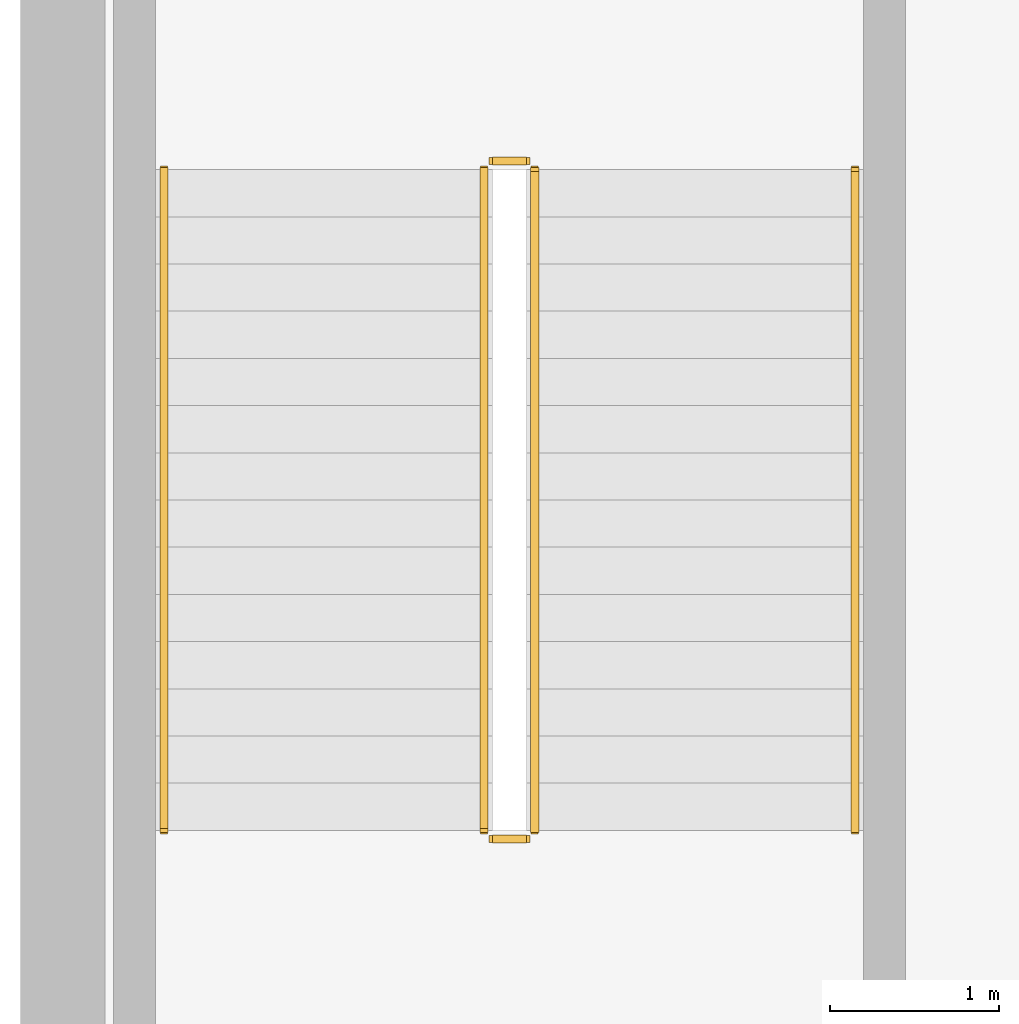
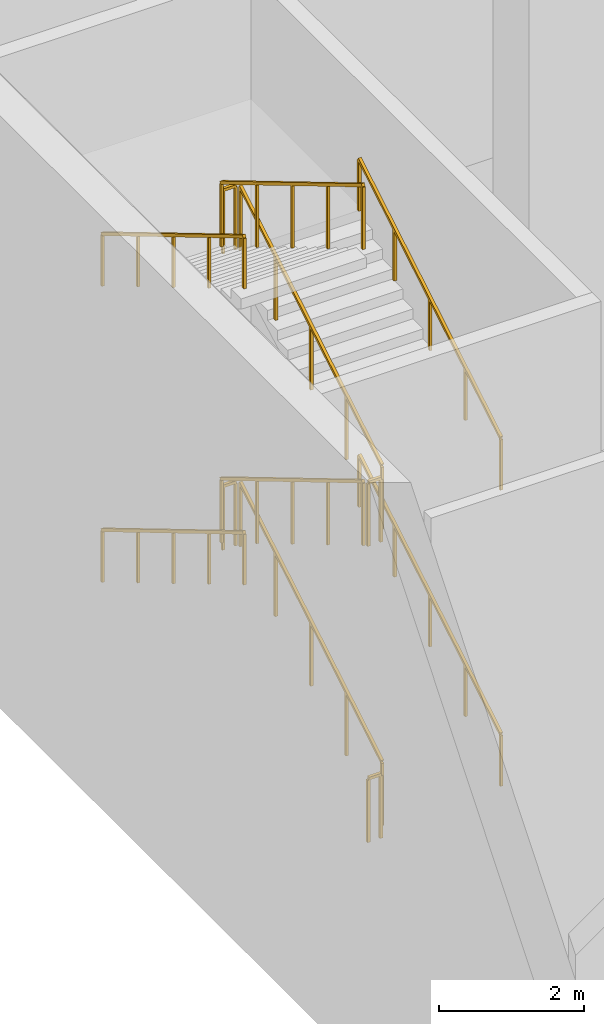
# One storey, part 15 of 17: 12 railings.
"""IFC4 building model written with IfcOpenShell, lengths in metres."""

from ifc_helpers import new_model, si_unit, direction, frame, origin, origin_2d, place, context, subcontext, project, spatial, rectangle, extrude, material, type_object, element, save


model = new_model("IFC4")

# Units and contexts
model_context = context("Model", 3, precision=1e-05, world=origin(), true_north=direction((0.0, 1.0)))
body_context = subcontext(model_context, "Body", "Model", "MODEL_VIEW")
ifc_project = project(units=[si_unit("LENGTHUNIT", "METRE"), si_unit("AREAUNIT", "SQUARE_METRE"), si_unit("VOLUMEUNIT", "CUBIC_METRE"), si_unit("PLANEANGLEUNIT", "RADIAN"), si_unit("MASSUNIT", "GRAM", prefix="KILO")], contexts=[model_context])

# Site, building, storey
site_placement = place(None, origin())
site = spatial("IfcSite", under=ifc_project, at=site_placement, CompositionType="ELEMENT")
building_placement = place(site_placement, origin())
building = spatial("IfcBuilding", under=site, at=building_placement, Name="Cypress Arch Tower", CompositionType="ELEMENT")
storey_placement = place(building_placement, frame((0.0, 0.0, 19.0)))
storey = spatial("IfcBuildingStorey", under=building, at=storey_placement, Name="L02", CompositionType="ELEMENT", Elevation=19.0)

# Railings
ifc_material_1 = material(Name="Black powder-coated steel square bar 48 mm", Category="steel")
railing_type_1 = type_object("IfcRailingType", Name="Stair handrail HR1", PredefinedType="HANDRAIL", material=ifc_material_1)
railing_1_placement = place(storey_placement, frame((18.949951171875, -2.5, 0.166748046875)))
element("IfcRailing", 1, at=railing_1_placement, inside=storey, type_object=railing_type_1, Name="L02 C stair handrail 1", PredefinedType="HANDRAIL", context=body_context, shape_type="SweptSolid", body=[
    extrude(rectangle(XDim=0.048095703125, YDim=0.048095703125, at=origin_2d()), frame((0.0, 0.0, 0.8759765625), z_axis=(0.0, 0.859296244711, 0.511478214419), x_axis=(-1.0, 0.0, 0.0)), (0.0, 0.0, 1.0), 4.561767578125),
    extrude(rectangle(XDim=0.0419921875, YDim=0.0419921875, at=origin_2d()), origin(), (0.0, 0.0, 1.0), 0.851806640625),
    extrude(rectangle(XDim=0.0419921875, YDim=0.0419921875, at=origin_2d()), frame((0.0, 0.97998046875, 0.583251953125)), (0.0, 0.0, 1.0), 0.851806640625),
    extrude(rectangle(XDim=0.0419921875, YDim=0.0419921875, at=origin_2d()), frame((0.0, 1.9599609375, 1.16650390625)), (0.0, 0.0, 1.0), 0.851806640625),
    extrude(rectangle(XDim=0.0419921875, YDim=0.0419921875, at=origin_2d()), frame((0.0, 2.93994140625, 1.75)), (0.0, 0.0, 1.0), 0.851806640625),
    extrude(rectangle(XDim=0.0419921875, YDim=0.0419921875, at=origin_2d()), frame((0.0, 3.919921875, 2.333251953125)), (0.0, 0.0, 1.0), 0.851806640625),
])
railing_2_placement = place(storey_placement, frame((14.85009765625, 1.419921875, 2.666748046875)))
element("IfcRailing", 2, at=railing_2_placement, inside=storey, type_object=railing_type_1, Name="L02 C stair handrail 2", PredefinedType="HANDRAIL", context=body_context, shape_type="SweptSolid", body=[
    extrude(rectangle(XDim=0.048095703125, YDim=0.048095703125, at=origin_2d()), frame((0.0, 0.0, 0.8759765625), z_axis=(0.0, -0.859296244711, 0.511478214419), x_axis=(1.0, 0.0, 0.0)), (0.0, 0.0, 1.0), 4.561767578125),
    extrude(rectangle(XDim=0.0419921875, YDim=0.0419921875, at=origin_2d()), origin(), (0.0, 0.0, 1.0), 0.851806640625),
    extrude(rectangle(XDim=0.0419921875, YDim=0.0419921875, at=origin_2d()), frame((0.0, -0.97998046875, 0.583251953125)), (0.0, 0.0, 1.0), 0.851806640625),
    extrude(rectangle(XDim=0.0419921875, YDim=0.0419921875, at=origin_2d()), frame((0.0, -1.9599609375, 1.16650390625)), (0.0, 0.0, 1.0), 0.851806640625),
    extrude(rectangle(XDim=0.0419921875, YDim=0.0419921875, at=origin_2d()), frame((0.0, -2.93994140625, 1.75)), (0.0, 0.0, 1.0), 0.851806640625),
    extrude(rectangle(XDim=0.0419921875, YDim=0.0419921875, at=origin_2d()), frame((0.0, -3.919921875, 2.333251953125)), (0.0, 0.0, 1.0), 0.851806640625),
])
railing_3_placement = place(storey_placement, frame((18.949951171875, -2.5, 5.166748046875)))
element("IfcRailing", 3, at=railing_3_placement, inside=storey, type_object=railing_type_1, Name="L02 C stair handrail 3", PredefinedType="HANDRAIL", context=body_context, shape_type="SweptSolid", body=[
    extrude(rectangle(XDim=0.048095703125, YDim=0.048095703125, at=origin_2d()), frame((0.0, 0.0, 0.8759765625), z_axis=(0.0, 0.859296244711, 0.511478214419), x_axis=(-1.0, 0.0, 0.0)), (0.0, 0.0, 1.0), 4.561767578125),
    extrude(rectangle(XDim=0.0419921875, YDim=0.0419921875, at=origin_2d()), origin(), (0.0, 0.0, 1.0), 0.851806640625),
    extrude(rectangle(XDim=0.0419921875, YDim=0.0419921875, at=origin_2d()), frame((0.0, 0.97998046875, 0.583251953125)), (0.0, 0.0, 1.0), 0.851806640625),
    extrude(rectangle(XDim=0.0419921875, YDim=0.0419921875, at=origin_2d()), frame((0.0, 1.9599609375, 1.16650390625)), (0.0, 0.0, 1.0), 0.851806640625),
    extrude(rectangle(XDim=0.0419921875, YDim=0.0419921875, at=origin_2d()), frame((0.0, 2.93994140625, 1.75)), (0.0, 0.0, 1.0), 0.851806640625),
    extrude(rectangle(XDim=0.0419921875, YDim=0.0419921875, at=origin_2d()), frame((0.0, 3.919921875, 2.333251953125)), (0.0, 0.0, 1.0), 0.851806640625),
])
railing_4_placement = place(storey_placement, frame((14.85009765625, 1.419921875, 7.666748046875)))
element("IfcRailing", 4, at=railing_4_placement, inside=storey, type_object=railing_type_1, Name="L02 C stair handrail 4", PredefinedType="HANDRAIL", context=body_context, shape_type="SweptSolid", body=[
    extrude(rectangle(XDim=0.048095703125, YDim=0.048095703125, at=origin_2d()), frame((0.0, 0.0, 0.8759765625), z_axis=(0.0, -0.859296244711, 0.511478214419), x_axis=(1.0, 0.0, 0.0)), (0.0, 0.0, 1.0), 4.561767578125),
    extrude(rectangle(XDim=0.0419921875, YDim=0.0419921875, at=origin_2d()), origin(), (0.0, 0.0, 1.0), 0.851806640625),
    extrude(rectangle(XDim=0.0419921875, YDim=0.0419921875, at=origin_2d()), frame((0.0, -0.97998046875, 0.583251953125)), (0.0, 0.0, 1.0), 0.851806640625),
    extrude(rectangle(XDim=0.0419921875, YDim=0.0419921875, at=origin_2d()), frame((0.0, -1.9599609375, 1.16650390625)), (0.0, 0.0, 1.0), 0.851806640625),
    extrude(rectangle(XDim=0.0419921875, YDim=0.0419921875, at=origin_2d()), frame((0.0, -2.93994140625, 1.75)), (0.0, 0.0, 1.0), 0.851806640625),
    extrude(rectangle(XDim=0.0419921875, YDim=0.0419921875, at=origin_2d()), frame((0.0, -3.919921875, 2.333251953125)), (0.0, 0.0, 1.0), 0.851806640625),
])
ifc_material_2 = material(Name="Black powder-coated steel balusters", Category="steel")
railing_type_2 = type_object("IfcRailingType", Name="Stair well guard G1", PredefinedType="GUARDRAIL", material=ifc_material_2)
railing_5_placement = place(storey_placement, frame((17.050048828125, -2.5, 0.166748046875)))
element("IfcRailing", 5, at=railing_5_placement, inside=storey, type_object=railing_type_2, Name="L02 C stair guard 1", PredefinedType="GUARDRAIL", context=body_context, shape_type="SweptSolid", body=[
    extrude(rectangle(XDim=0.048095703125, YDim=0.048095703125, at=origin_2d()), frame((0.0, 0.0, 1.076171875), z_axis=(0.0, 0.859296244711, 0.511478214419), x_axis=(-1.0, 0.0, 0.0)), (0.0, 0.0, 1.0), 4.561767578125),
    extrude(rectangle(XDim=0.0419921875, YDim=0.0419921875, at=origin_2d()), origin(), (0.0, 0.0, 1.0), 1.052001953125),
    extrude(rectangle(XDim=0.0419921875, YDim=0.0419921875, at=origin_2d()), frame((0.0, 0.97998046875, 0.583251953125)), (0.0, 0.0, 1.0), 1.052001953125),
    extrude(rectangle(XDim=0.0419921875, YDim=0.0419921875, at=origin_2d()), frame((0.0, 1.9599609375, 1.16650390625)), (0.0, 0.0, 1.0), 1.052001953125),
    extrude(rectangle(XDim=0.0419921875, YDim=0.0419921875, at=origin_2d()), frame((0.0, 2.93994140625, 1.75)), (0.0, 0.0, 1.0), 1.052001953125),
    extrude(rectangle(XDim=0.0419921875, YDim=0.0419921875, at=origin_2d()), frame((0.0, 3.919921875, 2.333251953125)), (0.0, 0.0, 1.0), 1.052001953125),
])
railing_6_placement = place(storey_placement, frame((17.0, 1.469970703125, 2.5)))
element("IfcRailing", 6, at=railing_6_placement, inside=storey, type_object=railing_type_2, Name="L02 C stair guard 2", PredefinedType="GUARDRAIL", context=body_context, shape_type="SweptSolid", body=[
    extrude(rectangle(XDim=0.048095703125, YDim=0.048095703125, at=origin_2d()), frame((0.0, 0.0, 1.076171875), z_axis=(-1.0, 0.0, 0.0), x_axis=(0.0, -1.0, 0.0)), (0.0, 0.0, 1.0), 0.199951171875),
    extrude(rectangle(XDim=0.0419921875, YDim=0.0419921875, at=origin_2d()), origin(), (0.0, 0.0, 1.0), 1.052001953125),
    extrude(rectangle(XDim=0.0419921875, YDim=0.0419921875, at=origin_2d()), frame((-0.199951171875, 0.0, 0.0)), (0.0, 0.0, 1.0), 1.052001953125),
])
railing_7_placement = place(storey_placement, frame((16.75, 1.419921875, 2.666748046875)))
element("IfcRailing", 7, at=railing_7_placement, inside=storey, type_object=railing_type_2, Name="L02 C stair guard 3", PredefinedType="GUARDRAIL", context=body_context, shape_type="SweptSolid", body=[
    extrude(rectangle(XDim=0.048095703125, YDim=0.048095703125, at=origin_2d()), frame((0.0, 0.0, 1.076171875), z_axis=(0.0, -0.859296244711, 0.511478214419), x_axis=(1.0, 0.0, 0.0)), (0.0, 0.0, 1.0), 4.561767578125),
    extrude(rectangle(XDim=0.0419921875, YDim=0.0419921875, at=origin_2d()), origin(), (0.0, 0.0, 1.0), 1.052001953125),
    extrude(rectangle(XDim=0.0419921875, YDim=0.0419921875, at=origin_2d()), frame((0.0, -0.97998046875, 0.583251953125)), (0.0, 0.0, 1.0), 1.052001953125),
    extrude(rectangle(XDim=0.0419921875, YDim=0.0419921875, at=origin_2d()), frame((0.0, -1.9599609375, 1.16650390625)), (0.0, 0.0, 1.0), 1.052001953125),
    extrude(rectangle(XDim=0.0419921875, YDim=0.0419921875, at=origin_2d()), frame((0.0, -2.93994140625, 1.75)), (0.0, 0.0, 1.0), 1.052001953125),
    extrude(rectangle(XDim=0.0419921875, YDim=0.0419921875, at=origin_2d()), frame((0.0, -3.919921875, 2.333251953125)), (0.0, 0.0, 1.0), 1.052001953125),
])
railing_8_placement = place(storey_placement, frame((17.0, -2.550048828125, 5.0)))
element("IfcRailing", 8, at=railing_8_placement, inside=storey, type_object=railing_type_2, Name="L02 C stair guard 4", PredefinedType="GUARDRAIL", context=body_context, shape_type="SweptSolid", body=[
    extrude(rectangle(XDim=0.048095703125, YDim=0.048095703125, at=origin_2d()), frame((0.0, 0.0, 1.076171875), z_axis=(-1.0, 0.0, 0.0), x_axis=(0.0, -1.0, 0.0)), (0.0, 0.0, 1.0), 0.199951171875),
    extrude(rectangle(XDim=0.0419921875, YDim=0.0419921875, at=origin_2d()), origin(), (0.0, 0.0, 1.0), 1.052001953125),
    extrude(rectangle(XDim=0.0419921875, YDim=0.0419921875, at=origin_2d()), frame((-0.199951171875, 0.0, 0.0)), (0.0, 0.0, 1.0), 1.052001953125),
])
railing_9_placement = place(storey_placement, frame((17.050048828125, -2.5, 5.166748046875)))
element("IfcRailing", 9, at=railing_9_placement, inside=storey, type_object=railing_type_2, Name="L02 C stair guard 5", PredefinedType="GUARDRAIL", context=body_context, shape_type="SweptSolid", body=[
    extrude(rectangle(XDim=0.048095703125, YDim=0.048095703125, at=origin_2d()), frame((0.0, 0.0, 1.076171875), z_axis=(0.0, 0.859296244711, 0.511478214419), x_axis=(-1.0, 0.0, 0.0)), (0.0, 0.0, 1.0), 4.561767578125),
    extrude(rectangle(XDim=0.0419921875, YDim=0.0419921875, at=origin_2d()), origin(), (0.0, 0.0, 1.0), 1.052001953125),
    extrude(rectangle(XDim=0.0419921875, YDim=0.0419921875, at=origin_2d()), frame((0.0, 0.97998046875, 0.583251953125)), (0.0, 0.0, 1.0), 1.052001953125),
    extrude(rectangle(XDim=0.0419921875, YDim=0.0419921875, at=origin_2d()), frame((0.0, 1.9599609375, 1.16650390625)), (0.0, 0.0, 1.0), 1.052001953125),
    extrude(rectangle(XDim=0.0419921875, YDim=0.0419921875, at=origin_2d()), frame((0.0, 2.93994140625, 1.75)), (0.0, 0.0, 1.0), 1.052001953125),
    extrude(rectangle(XDim=0.0419921875, YDim=0.0419921875, at=origin_2d()), frame((0.0, 3.919921875, 2.333251953125)), (0.0, 0.0, 1.0), 1.052001953125),
])
railing_10_placement = place(storey_placement, frame((17.0, 1.469970703125, 7.5)))
element("IfcRailing", 10, at=railing_10_placement, inside=storey, type_object=railing_type_2, Name="L02 C stair guard 6", PredefinedType="GUARDRAIL", context=body_context, shape_type="SweptSolid", body=[
    extrude(rectangle(XDim=0.048095703125, YDim=0.048095703125, at=origin_2d()), frame((0.0, 0.0, 1.076171875), z_axis=(-1.0, 0.0, 0.0), x_axis=(0.0, -1.0, 0.0)), (0.0, 0.0, 1.0), 0.199951171875),
    extrude(rectangle(XDim=0.0419921875, YDim=0.0419921875, at=origin_2d()), origin(), (0.0, 0.0, 1.0), 1.052001953125),
    extrude(rectangle(XDim=0.0419921875, YDim=0.0419921875, at=origin_2d()), frame((-0.199951171875, 0.0, 0.0)), (0.0, 0.0, 1.0), 1.052001953125),
])
railing_11_placement = place(storey_placement, frame((16.75, 1.419921875, 7.666748046875)))
element("IfcRailing", 11, at=railing_11_placement, inside=storey, type_object=railing_type_2, Name="L02 C stair guard 7", PredefinedType="GUARDRAIL", context=body_context, shape_type="SweptSolid", body=[
    extrude(rectangle(XDim=0.048095703125, YDim=0.048095703125, at=origin_2d()), frame((0.0, 0.0, 1.076171875), z_axis=(0.0, -0.859296244711, 0.511478214419), x_axis=(1.0, 0.0, 0.0)), (0.0, 0.0, 1.0), 4.561767578125),
    extrude(rectangle(XDim=0.0419921875, YDim=0.0419921875, at=origin_2d()), origin(), (0.0, 0.0, 1.0), 1.052001953125),
    extrude(rectangle(XDim=0.0419921875, YDim=0.0419921875, at=origin_2d()), frame((0.0, -0.97998046875, 0.583251953125)), (0.0, 0.0, 1.0), 1.052001953125),
    extrude(rectangle(XDim=0.0419921875, YDim=0.0419921875, at=origin_2d()), frame((0.0, -1.9599609375, 1.16650390625)), (0.0, 0.0, 1.0), 1.052001953125),
    extrude(rectangle(XDim=0.0419921875, YDim=0.0419921875, at=origin_2d()), frame((0.0, -2.93994140625, 1.75)), (0.0, 0.0, 1.0), 1.052001953125),
    extrude(rectangle(XDim=0.0419921875, YDim=0.0419921875, at=origin_2d()), frame((0.0, -3.919921875, 2.333251953125)), (0.0, 0.0, 1.0), 1.052001953125),
])
railing_12_placement = place(storey_placement, frame((17.0, -2.550048828125, 0.0)))
element("IfcRailing", 12, at=railing_12_placement, inside=storey, type_object=railing_type_2, Name="L02 C stair guard 8", PredefinedType="GUARDRAIL", context=body_context, shape_type="SweptSolid", body=[
    extrude(rectangle(XDim=0.048095703125, YDim=0.048095703125, at=origin_2d()), frame((0.0, 0.0, 1.076171875), z_axis=(-1.0, 0.0, 0.0), x_axis=(0.0, -1.0, 0.0)), (0.0, 0.0, 1.0), 0.199951171875),
    extrude(rectangle(XDim=0.0419921875, YDim=0.0419921875, at=origin_2d()), origin(), (0.0, 0.0, 1.0), 1.052001953125),
    extrude(rectangle(XDim=0.0419921875, YDim=0.0419921875, at=origin_2d()), frame((-0.199951171875, 0.0, 0.0)), (0.0, 0.0, 1.0), 1.052001953125),
])

save(model, "model.ifc")
